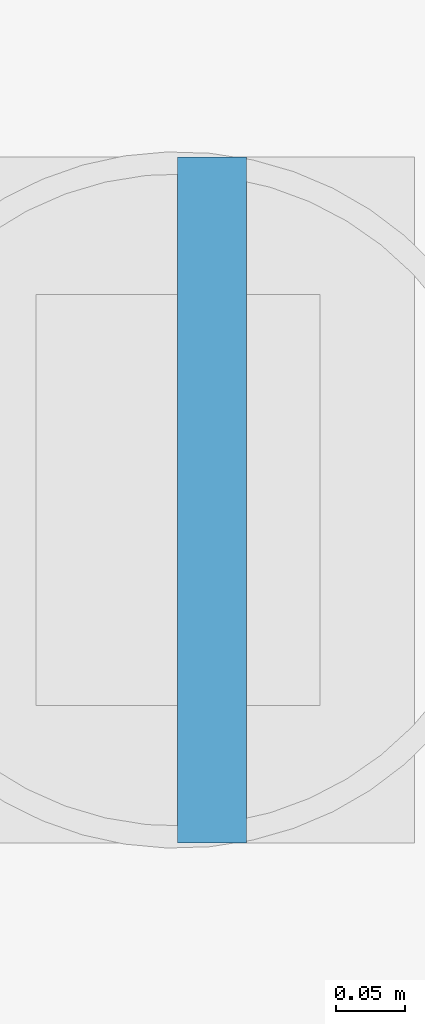
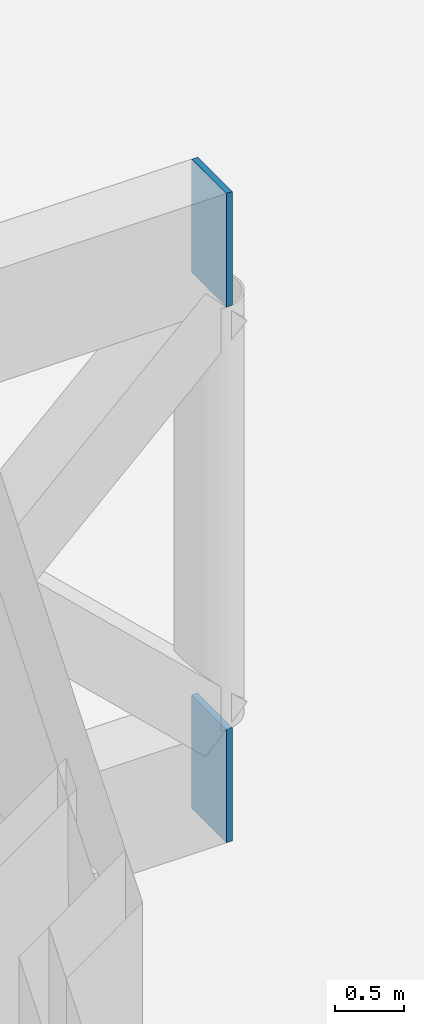
# One storey, part 8 of 20: 2 plates.
"""IFC4 building model written with IfcOpenShell, lengths in metres."""

from ifc_helpers import new_model, si_unit, direction, frame, origin, origin_2d, place, context, subcontext, project, spatial, rectangle, extrude, material, layer, layer_set, type_object, element, save


model = new_model("IFC4")

# Units and contexts
model_context = context("Model", 3, precision=1e-05, world=origin(), true_north=direction((0.0, 1.0)))
body_context = subcontext(model_context, "Body", "Model", "MODEL_VIEW")
ifc_project = project(units=[si_unit("LENGTHUNIT", "METRE"), si_unit("AREAUNIT", "SQUARE_METRE"), si_unit("VOLUMEUNIT", "CUBIC_METRE"), si_unit("PLANEANGLEUNIT", "RADIAN"), si_unit("MASSUNIT", "GRAM", prefix="KILO")], contexts=[model_context])

# Site, building, storey
site_placement = place(None, origin())
site = spatial("IfcSite", under=ifc_project, at=site_placement, CompositionType="ELEMENT")
building_placement = place(site_placement, origin())
building = spatial("IfcBuilding", under=site, at=building_placement, Name="Torana Hotel and Residences", CompositionType="ELEMENT")
storey_placement = place(building_placement, frame((0.0, 0.0, 18.0)))
storey = spatial("IfcBuildingStorey", under=building, at=storey_placement, Name="L03", CompositionType="ELEMENT", Elevation=18.0)

# Plates
ifc_material = material(Name="Steel S355", Category="steel")
ifc_layer = layer(ifc_material, 0.050048828125)
ifc_layer_set = layer_set([ifc_layer], Name="STEEL END PLATE 50")
plate_type = type_object("IfcPlateType", Name="STEEL END PLATE 50", PredefinedType="SHEET", material=ifc_layer_set)
for number, where, z_axis, x_axis, name in (
    (1, (36.02490234375, -15.0, 0.0), (0.0, 0.0, 1.0), (1.0, 0.0, 0.0), "End plate L03"),
    (2, (36.02490234375, -15.0, 4.719970703125), (0.0, 0.0, 1.0), (1.0, 0.0, 0.0), "End plate L03"),
):
    element("IfcPlate", number, at=place(storey_placement, frame(where, z_axis=z_axis, x_axis=x_axis)), inside=storey, type_object=plate_type, Name=name, PredefinedType="SHEET", context=body_context, shape_type="SweptSolid", body=[
        extrude(rectangle(XDim=0.050048828125, YDim=0.5, at=origin_2d()), origin(), (0.0, 0.0, 1.0), 1.0),
    ])

save(model, "model.ifc")
